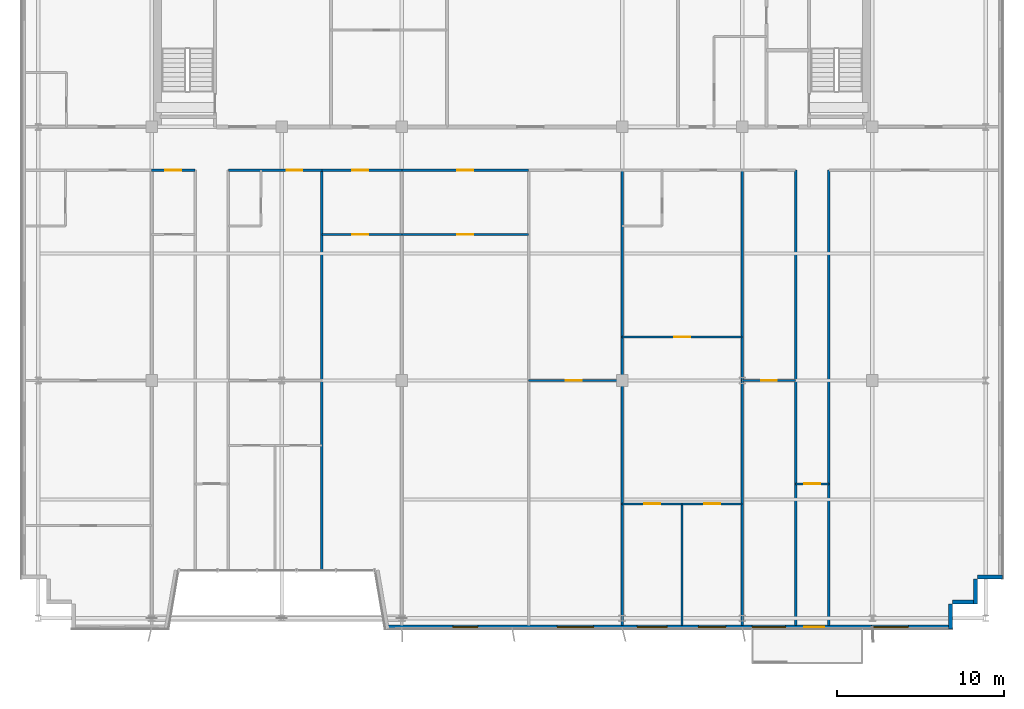
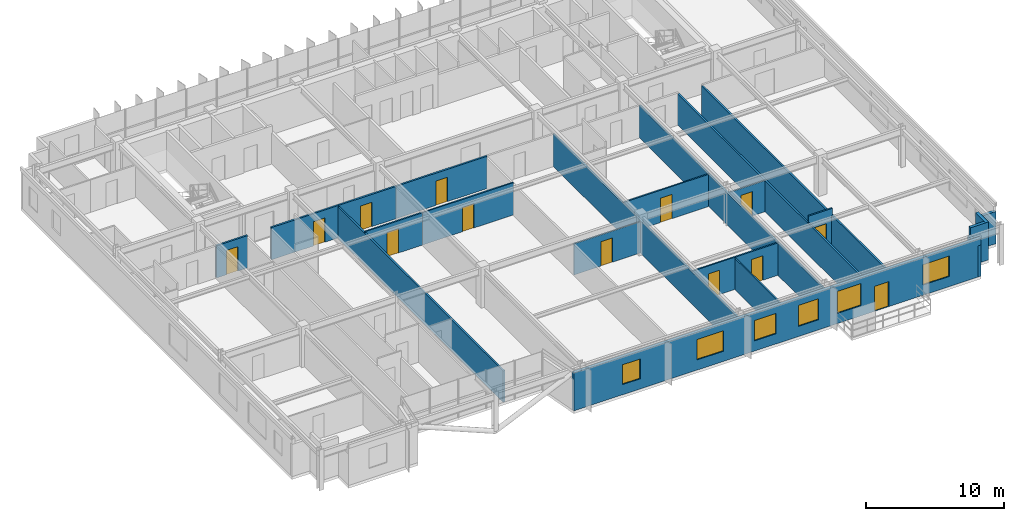
# One storey, part 19 of 24: 23 walls, 13 doors, 6 windows, 19 openings.
"""IFC4 building model written with IfcOpenShell, lengths in metres."""

from ifc_helpers import new_model, si_unit, direction, frame, frame_2d, origin, place, context, subcontext, project, spatial, rectangle, extrude, source, transform, mapped, material, layer, layer_set, type_object, element, fill, save


model = new_model("IFC4")

# Units and contexts
model_context = context("Model", 3, precision=1e-05, world=origin(), true_north=direction((0.0, 1.0)))
body_context = subcontext(model_context, "Body", "Model", "MODEL_VIEW")
ifc_project = project(units=[si_unit("LENGTHUNIT", "METRE"), si_unit("AREAUNIT", "SQUARE_METRE"), si_unit("VOLUMEUNIT", "CUBIC_METRE"), si_unit("PLANEANGLEUNIT", "RADIAN"), si_unit("MASSUNIT", "GRAM", prefix="KILO")], contexts=[model_context])

# Site, building, storey
site_placement = place(None, origin())
site = spatial("IfcSite", under=ifc_project, at=site_placement, CompositionType="ELEMENT")
building_placement = place(site_placement, origin())
building = spatial("IfcBuilding", under=site, at=building_placement, Name="Trelvane Seafront Commons", CompositionType="ELEMENT")
storey_placement = place(building_placement, frame((0.0, 0.0, 175.300048828125)))
storey = spatial("IfcBuildingStorey", under=building, at=storey_placement, Name="L46", CompositionType="ELEMENT", Elevation=175.300048828125)

# Walls
ifc_material_1 = material(Name="Precast concrete C40/50", Category="concrete")
ifc_layer_1 = layer(ifc_material_1, 0.239990234375, Name="ARCH-WALL-EXT240")
ifc_layer_set_1 = layer_set([ifc_layer_1], Name="Precast concrete C40/50")
wall_type_1 = type_object("IfcWallType", Name="ARCH-WALL-EXT240", PredefinedType="SOLIDWALL", material=ifc_layer_set_1)
wall_1_placement = place(storey_placement, frame((66.60009765625, 6.419921875, 0.0), z_axis=(0.0, 0.0, 1.0), x_axis=(-1.0, 0.0, 0.0)))
element("IfcWall", 1, at=wall_1_placement, inside=storey, type_object=wall_type_1, Name="EW-L46-00924", PredefinedType="SOLIDWALL", context=body_context, shape_type="SweptSolid", body=[
    extrude(rectangle(XDim=1.5, YDim=0.239990234375, at=frame_2d((0.75, 0.0))), origin(), (0.0, 0.0, 1.0), 2.849853515625),
])
for number, where, z_axis, x_axis, name in (
    (2, (64.97998046875, 6.300048828125, 0.0), (0.0, 0.0, 1.0), (0.0, -1.0, 0.0), "EW-L46-00925"),
    (3, (65.10009765625, 4.919921875, 0.0), (0.0, 0.0, 1.0), (-1.0, 0.0, 0.0), "EW-L46-00926"),
):
    element("IfcWall", number, at=place(storey_placement, frame(where, z_axis=z_axis, x_axis=x_axis)), inside=storey, type_object=wall_type_1, Name=name, PredefinedType="SOLIDWALL", context=body_context, shape_type="SweptSolid", body=[
        extrude(rectangle(XDim=1.5, YDim=0.239990234375, at=frame_2d((0.75, 0.0))), origin(), (0.0, 0.0, 1.0), 3.349853515625),
    ])
wall_2_placement = place(storey_placement, frame((63.47998046875, 4.800048828125, 0.0), z_axis=(0.0, 0.0, 1.0), x_axis=(0.0, -1.0, 0.0)))
element("IfcWall", 4, at=wall_2_placement, inside=storey, type_object=wall_type_1, Name="EW-L46-00927", PredefinedType="SOLIDWALL", context=body_context, shape_type="SweptSolid", body=[
    extrude(rectangle(XDim=1.5, YDim=0.239990234375, at=frame_2d((0.75, 0.0))), origin(), (0.0, 0.0, 1.0), 2.75),
])

# Wall, openings, door, windows
wall_3_placement = place(storey_placement, frame((63.60009765625, 3.419921875, 0.0), z_axis=(0.0, 0.0, 1.0), x_axis=(-1.0, 0.0, 0.0)))
wall_3 = element("IfcWall", 5, at=wall_3_placement, inside=storey, type_object=wall_type_1, Name="EW-L46-00928", PredefinedType="SOLIDWALL", context=body_context, shape_type="SweptSolid", body=[
    extrude(rectangle(XDim=34.0, YDim=0.239990234375, at=frame_2d((17.0, 0.0))), origin(), (0.0, 0.0, 1.0), 3.349853515625),
])
opening_1_placement = place(wall_3_placement, frame((2.64501953125, 0.0, 0.89990234375)))
opening_1 = element("IfcOpeningElement", 6, at=opening_1_placement, cuts=wall_3, Name="Opening W02", PredefinedType="OPENING", context=body_context, shape_type="SweptSolid", body=[
    extrude(rectangle(XDim=2.199951171875, YDim=1.800048828125, at=frame_2d((1.10009765625, 0.89990234375))), frame((0.0, 0.1298828125, 0.0), z_axis=(0.0, -1.0, 0.0), x_axis=(1.0, 0.0, 0.0)), (0.0, 0.0, 1.0), 0.260009765625),
])
opening_2_placement = place(wall_3_placement, frame((7.68994140625, 0.0, 0.0)))
opening_2 = element("IfcOpeningElement", 7, at=opening_2_placement, cuts=wall_3, Name="Opening BD-L46-105", PredefinedType="OPENING", context=body_context, shape_type="SweptSolid", body=[
    extrude(rectangle(XDim=1.199951171875, YDim=2.199951171875, at=frame_2d((0.60009765625, 1.10009765625))), frame((0.0, 0.1298828125, 0.0), z_axis=(0.0, -1.0, 0.0), x_axis=(1.0, 0.0, 0.0)), (0.0, 0.0, 1.0), 0.260009765625),
])
opening_3_placement = place(wall_3_placement, frame((10.0, 0.0, 0.89990234375)))
opening_3 = element("IfcOpeningElement", 8, at=opening_3_placement, cuts=wall_3, Name="Opening W06", PredefinedType="OPENING", context=body_context, shape_type="SweptSolid", body=[
    extrude(rectangle(XDim=2.0, YDim=1.949951171875, at=frame_2d((1.0, 0.97509765625))), frame((0.0, 0.1298828125, 0.0), z_axis=(0.0, -1.0, 0.0), x_axis=(1.0, 0.0, 0.0)), (0.0, 0.0, 1.0), 0.260009765625),
])
opening_4_placement = place(wall_3_placement, frame((13.574951171875, 0.0, 0.89990234375)))
opening_4 = element("IfcOpeningElement", 9, at=opening_4_placement, cuts=wall_3, Name="Opening W07", PredefinedType="OPENING", context=body_context, shape_type="SweptSolid", body=[
    extrude(rectangle(XDim=1.64990234375, YDim=1.85009765625, at=frame_2d((0.824951171875, 0.925048828125))), frame((0.0, 0.1298828125, 0.0), z_axis=(0.0, -1.0, 0.0), x_axis=(1.0, 0.0, 0.0)), (0.0, 0.0, 1.0), 0.260009765625),
])
opening_5_placement = place(wall_3_placement, frame((17.10009765625, 0.0, 0.89990234375)))
opening_5 = element("IfcOpeningElement", 10, at=opening_5_placement, cuts=wall_3, Name="Opening W01", PredefinedType="OPENING", context=body_context, shape_type="SweptSolid", body=[
    extrude(rectangle(XDim=1.800048828125, YDim=1.800048828125, at=frame_2d((0.89990234375, 0.89990234375))), frame((0.0, 0.1298828125, 0.0), z_axis=(0.0, -1.0, 0.0), x_axis=(1.0, 0.0, 0.0)), (0.0, 0.0, 1.0), 0.260009765625),
])
opening_6_placement = place(wall_3_placement, frame((21.5, 0.0, 0.89990234375)))
opening_6 = element("IfcOpeningElement", 11, at=opening_6_placement, cuts=wall_3, Name="Opening W02", PredefinedType="OPENING", context=body_context, shape_type="SweptSolid", body=[
    extrude(rectangle(XDim=2.199951171875, YDim=1.800048828125, at=frame_2d((1.10009765625, 0.89990234375))), frame((0.0, 0.1298828125, 0.0), z_axis=(0.0, -1.0, 0.0), x_axis=(1.0, 0.0, 0.0)), (0.0, 0.0, 1.0), 0.260009765625),
])
opening_7_placement = place(wall_3_placement, frame((28.449951171875, 0.0, 0.89990234375)))
opening_7 = element("IfcOpeningElement", 12, at=opening_7_placement, cuts=wall_3, Name="Opening W03", PredefinedType="OPENING", context=body_context, shape_type="SweptSolid", body=[
    extrude(rectangle(XDim=1.5, YDim=1.75, at=frame_2d((0.75, 0.875))), frame((0.0, 0.1298828125, 0.0), z_axis=(0.0, -1.0, 0.0), x_axis=(1.0, 0.0, 0.0)), (0.0, 0.0, 1.0), 0.260009765625),
])
ifc_material_2 = material(Name="Powder-coated aluminium frame", Category="aluminium")
door_type_1 = type_object("IfcDoorType", Name="ARCH-DR-BAL1200", OperationType="NOTDEFINED", PredefinedType="DOOR", material=ifc_material_2)
shared_shape_1 = source(origin(), body_context, "Body", "SweptSolid", [
    extrude(rectangle(XDim=1.199951171875, YDim=2.199951171875, at=frame_2d((0.60009765625, 1.10009765625))), frame((0.0, 0.02490234375, 0.0), z_axis=(0.0, -1.0, 0.0), x_axis=(1.0, 0.0, 0.0)), (0.0, 0.0, 1.0), 0.050048828125),
])
door_1_placement = place(opening_2_placement, origin())
door_1 = element("IfcDoor", 13, at=door_1_placement, inside=storey, type_object=door_type_1, Name="L46 Balcony Terrace Access Door", OperationType="SINGLE_SWING_LEFT", OverallHeight=2.199951171875, OverallWidth=1.199951171875, PredefinedType="DOOR", context=body_context, shape_type="MappedRepresentation", body=[
    mapped(shared_shape_1, transform((0.0, 0.0, 0.0), x_axis=(1.0, 0.0, 0.0), y_axis=(0.0, 1.0, 0.0), z_axis=(0.0, 0.0, 1.0), scale=1.0)),
])
fill(opening_2, door_1)
ifc_material_3 = material(Name="Low-E coastal double glazing", Category="glass")
window_type_1 = type_object("IfcWindowType", Name="ARCH-WIN-W02", PartitioningType="SINGLE_PANEL", PredefinedType="WINDOW", material=ifc_material_3)
shared_shape_2 = source(origin(), body_context, "Body", "SweptSolid", [
    extrude(rectangle(XDim=2.199951171875, YDim=1.800048828125, at=frame_2d((1.10009765625, 0.89990234375))), frame((0.0, 0.030029296875, 0.0), z_axis=(0.0, -1.0, 0.0), x_axis=(1.0, 0.0, 0.0)), (0.0, 0.0, 1.0), 0.06005859375),
])
window_1_placement = place(opening_1_placement, origin())
window_1 = element("IfcWindow", 14, at=window_1_placement, inside=storey, type_object=window_type_1, Name="WIN-L46-01105", OverallHeight=1.800048828125, OverallWidth=2.199951171875, PartitioningType="SINGLE_PANEL", PredefinedType="WINDOW", context=body_context, shape_type="MappedRepresentation", body=[
    mapped(shared_shape_2, transform((0.0, 0.0, 0.0), x_axis=(1.0, 0.0, 0.0), y_axis=(0.0, 1.0, 0.0), z_axis=(0.0, 0.0, 1.0), scale=1.0)),
])
fill(opening_1, window_1)
window_2_placement = place(opening_6_placement, origin())
window_2 = element("IfcWindow", 15, at=window_2_placement, inside=storey, type_object=window_type_1, Name="WIN-L46-01109", OverallHeight=1.800048828125, OverallWidth=2.199951171875, PartitioningType="SINGLE_PANEL", PredefinedType="WINDOW", context=body_context, shape_type="MappedRepresentation", body=[
    mapped(shared_shape_2, transform((0.0, 0.0, 0.0), x_axis=(1.0, 0.0, 0.0), y_axis=(0.0, 1.0, 0.0), z_axis=(0.0, 0.0, 1.0), scale=1.0)),
])
fill(opening_6, window_2)
window_type_2 = type_object("IfcWindowType", Name="ARCH-WIN-W03", PartitioningType="SINGLE_PANEL", PredefinedType="WINDOW", material=ifc_material_3)
shared_shape_3 = source(origin(), body_context, "Body", "SweptSolid", [
    extrude(rectangle(XDim=1.5, YDim=1.75, at=frame_2d((0.75, 0.875))), frame((0.0, 0.030029296875, 0.0), z_axis=(0.0, -1.0, 0.0), x_axis=(1.0, 0.0, 0.0)), (0.0, 0.0, 1.0), 0.06005859375),
])
window_3_placement = place(opening_7_placement, origin())
window_3 = element("IfcWindow", 16, at=window_3_placement, inside=storey, type_object=window_type_2, Name="WIN-L46-01110", OverallHeight=1.75, OverallWidth=1.5, PartitioningType="SINGLE_PANEL", PredefinedType="WINDOW", context=body_context, shape_type="MappedRepresentation", body=[
    mapped(shared_shape_3, transform((0.0, 0.0, 0.0), x_axis=(1.0, 0.0, 0.0), y_axis=(0.0, 1.0, 0.0), z_axis=(0.0, 0.0, 1.0), scale=1.0)),
])
fill(opening_7, window_3)
window_type_3 = type_object("IfcWindowType", Name="ARCH-WIN-W06", PartitioningType="SINGLE_PANEL", PredefinedType="WINDOW", material=ifc_material_3)
shared_shape_4 = source(origin(), body_context, "Body", "SweptSolid", [
    extrude(rectangle(XDim=2.0, YDim=1.949951171875, at=frame_2d((1.0, 0.97509765625))), frame((0.0, 0.030029296875, 0.0), z_axis=(0.0, -1.0, 0.0), x_axis=(1.0, 0.0, 0.0)), (0.0, 0.0, 1.0), 0.06005859375),
])
window_4_placement = place(opening_3_placement, origin())
window_4 = element("IfcWindow", 17, at=window_4_placement, inside=storey, type_object=window_type_3, Name="WIN-L46-01106", OverallHeight=1.949951171875, OverallWidth=2.0, PartitioningType="SINGLE_PANEL", PredefinedType="WINDOW", context=body_context, shape_type="MappedRepresentation", body=[
    mapped(shared_shape_4, transform((0.0, 0.0, 0.0), x_axis=(1.0, 0.0, 0.0), y_axis=(0.0, 1.0, 0.0), z_axis=(0.0, 0.0, 1.0), scale=1.0)),
])
fill(opening_3, window_4)
window_type_4 = type_object("IfcWindowType", Name="ARCH-WIN-W01", PartitioningType="SINGLE_PANEL", PredefinedType="WINDOW", material=ifc_material_3)
shared_shape_5 = source(origin(), body_context, "Body", "SweptSolid", [
    extrude(rectangle(XDim=1.800048828125, YDim=1.800048828125, at=frame_2d((0.89990234375, 0.89990234375))), frame((0.0, 0.030029296875, 0.0), z_axis=(0.0, -1.0, 0.0), x_axis=(1.0, 0.0, 0.0)), (0.0, 0.0, 1.0), 0.06005859375),
])
window_5_placement = place(opening_5_placement, origin())
window_5 = element("IfcWindow", 18, at=window_5_placement, inside=storey, type_object=window_type_4, Name="WIN-L46-01108", OverallHeight=1.800048828125, OverallWidth=1.800048828125, PartitioningType="SINGLE_PANEL", PredefinedType="WINDOW", context=body_context, shape_type="MappedRepresentation", body=[
    mapped(shared_shape_5, transform((0.0, 0.0, 0.0), x_axis=(1.0, 0.0, 0.0), y_axis=(0.0, 1.0, 0.0), z_axis=(0.0, 0.0, 1.0), scale=1.0)),
])
fill(opening_5, window_5)
window_type_5 = type_object("IfcWindowType", Name="ARCH-WIN-W07", PartitioningType="SINGLE_PANEL", PredefinedType="WINDOW", material=ifc_material_3)
shared_shape_6 = source(origin(), body_context, "Body", "SweptSolid", [
    extrude(rectangle(XDim=1.64990234375, YDim=1.85009765625, at=frame_2d((0.824951171875, 0.925048828125))), frame((0.0, 0.030029296875, 0.0), z_axis=(0.0, -1.0, 0.0), x_axis=(1.0, 0.0, 0.0)), (0.0, 0.0, 1.0), 0.06005859375),
])
window_6_placement = place(opening_4_placement, origin())
window_6 = element("IfcWindow", 19, at=window_6_placement, inside=storey, type_object=window_type_5, Name="WIN-L46-01107", OverallHeight=1.85009765625, OverallWidth=1.64990234375, PartitioningType="SINGLE_PANEL", PredefinedType="WINDOW", context=body_context, shape_type="MappedRepresentation", body=[
    mapped(shared_shape_6, transform((0.0, 0.0, 0.0), x_axis=(1.0, 0.0, 0.0), y_axis=(0.0, 1.0, 0.0), z_axis=(0.0, 0.0, 1.0), scale=1.0)),
])
fill(opening_4, window_6)

# Wall, opening, door
ifc_material_4 = material(Name="Gypsum Drywall Acoustic Partition")
ifc_layer_2 = layer(ifc_material_4, 0.1201171875, Name="ARCH-WALL-PART120")
ifc_layer_set_2 = layer_set([ifc_layer_2], Name="Gypsum Drywall Acoustic Partition")
wall_type_2 = type_object("IfcWallType", Name="ARCH-WALL-PART120", PredefinedType="PARTITIONING", material=ifc_layer_set_2)
wall_4_placement = place(storey_placement, frame((25.800048828125, 26.949951171875, 0.0), z_axis=(0.0, 0.0, 1.0), x_axis=(1.0, 0.0, 0.0)))
wall_4 = element("IfcWall", 20, at=wall_4_placement, inside=storey, type_object=wall_type_2, Name="W-L46-U5-DIV-070", PredefinedType="PARTITIONING", context=body_context, shape_type="SweptSolid", body=[
    extrude(rectangle(XDim=4.800048828125, YDim=0.1201171875, at=frame_2d((2.39990234375, 0.0))), origin(), (0.0, 0.0, 1.0), 2.849853515625),
])
opening_8_placement = place(wall_4_placement, frame((1.833984375, 0.0, 0.0)))
opening_8 = element("IfcOpeningElement", 21, at=opening_8_placement, cuts=wall_4, Name="Opening D-L46-40", PredefinedType="OPENING", context=body_context, shape_type="SweptSolid", body=[
    extrude(rectangle(XDim=0.949951171875, YDim=2.14990234375, at=frame_2d((0.47509765625, 1.074951171875))), frame((0.0, 0.070068359375, 0.0), z_axis=(0.0, -1.0, 0.0), x_axis=(1.0, 0.0, 0.0)), (0.0, 0.0, 1.0), 0.14013671875),
])
ifc_material_5 = material(Name="Acoustic timber door leaf", Category="wood")
door_type_2 = type_object("IfcDoorType", Name="ARCH-DR-INT950", OperationType="NOTDEFINED", PredefinedType="DOOR", material=ifc_material_5)
shared_shape_7 = source(origin(), body_context, "Body", "SweptSolid", [
    extrude(rectangle(XDim=0.949951171875, YDim=2.14990234375, at=frame_2d((0.47509765625, 1.074951171875))), frame((0.0, 0.02490234375, 0.0), z_axis=(0.0, -1.0, 0.0), x_axis=(1.0, 0.0, 0.0)), (0.0, 0.0, 1.0), 0.050048828125),
])
door_2_placement = place(opening_8_placement, origin())
door_2 = element("IfcDoor", 22, at=door_2_placement, inside=storey, type_object=door_type_2, Name="L46 Door 40", OperationType="SINGLE_SWING_RIGHT", OverallHeight=2.14990234375, OverallWidth=0.949951171875, PredefinedType="DOOR", context=body_context, shape_type="MappedRepresentation", body=[
    mapped(shared_shape_7, transform((0.0, 0.0, 0.0), x_axis=(1.0, 0.0, 0.0), y_axis=(0.0, 1.0, 0.0), z_axis=(0.0, 0.0, 1.0), scale=1.0)),
])
fill(opening_8, door_2)

wall_5_placement = place(storey_placement, frame((30.60009765625, 26.949951171875, 0.0), z_axis=(0.0, 0.0, 1.0), x_axis=(1.0, 0.0, 0.0)))
wall_5 = element("IfcWall", 23, at=wall_5_placement, inside=storey, type_object=wall_type_2, Name="W-L46-U6-DIV-072", PredefinedType="PARTITIONING", context=body_context, shape_type="SweptSolid", body=[
    extrude(rectangle(XDim=7.599853515625, YDim=0.1201171875, at=frame_2d((3.7998046875, 0.0))), origin(), (0.0, 0.0, 1.0), 2.849853515625),
])
opening_9_placement = place(wall_5_placement, frame((3.324951171875, 0.0, 0.0)))
opening_9 = element("IfcOpeningElement", 24, at=opening_9_placement, cuts=wall_5, Name="Opening D-L46-42", PredefinedType="OPENING", context=body_context, shape_type="SweptSolid", body=[
    extrude(rectangle(XDim=0.949951171875, YDim=2.14990234375, at=frame_2d((0.47509765625, 1.074951171875))), frame((0.0, 0.070068359375, 0.0), z_axis=(0.0, -1.0, 0.0), x_axis=(1.0, 0.0, 0.0)), (0.0, 0.0, 1.0), 0.14013671875),
])
door_3_placement = place(opening_9_placement, origin())
door_3 = element("IfcDoor", 25, at=door_3_placement, inside=storey, type_object=door_type_2, Name="L46 Door 42", OperationType="SINGLE_SWING_RIGHT", OverallHeight=2.14990234375, OverallWidth=0.949951171875, PredefinedType="DOOR", context=body_context, shape_type="MappedRepresentation", body=[
    mapped(shared_shape_7, transform((0.0, 0.0, 0.0), x_axis=(1.0, 0.0, 0.0), y_axis=(0.0, 1.0, 0.0), z_axis=(0.0, 0.0, 1.0), scale=1.0)),
])
fill(opening_9, door_3)

wall_6_placement = place(storey_placement, frame((38.199951171875, 18.199951171875, 0.0), z_axis=(0.0, 0.0, 1.0), x_axis=(1.0, 0.0, 0.0)))
wall_6 = element("IfcWall", 26, at=wall_6_placement, inside=storey, type_object=wall_type_2, Name="W-L46-U7-DIV-074", PredefinedType="PARTITIONING", context=body_context, shape_type="SweptSolid", body=[
    extrude(rectangle(XDim=5.60009765625, YDim=0.1201171875, at=frame_2d((2.800048828125, 0.0))), origin(), (0.0, 0.0, 1.0), 2.75),
])
opening_10_placement = place(wall_6_placement, frame((2.23193359375, 0.0, 0.0)))
opening_10 = element("IfcOpeningElement", 27, at=opening_10_placement, cuts=wall_6, Name="Opening D-L46-44", PredefinedType="OPENING", context=body_context, shape_type="SweptSolid", body=[
    extrude(rectangle(XDim=0.949951171875, YDim=2.14990234375, at=frame_2d((0.47509765625, 1.074951171875))), frame((0.0, 0.070068359375, 0.0), z_axis=(0.0, -1.0, 0.0), x_axis=(1.0, 0.0, 0.0)), (0.0, 0.0, 1.0), 0.14013671875),
])
door_4_placement = place(opening_10_placement, origin())
door_4 = element("IfcDoor", 28, at=door_4_placement, inside=storey, type_object=door_type_2, Name="L46 Door 44", OperationType="SINGLE_SWING_RIGHT", OverallHeight=2.14990234375, OverallWidth=0.949951171875, PredefinedType="DOOR", context=body_context, shape_type="MappedRepresentation", body=[
    mapped(shared_shape_7, transform((0.0, 0.0, 0.0), x_axis=(1.0, 0.0, 0.0), y_axis=(0.0, 1.0, 0.0), z_axis=(0.0, 0.0, 1.0), scale=1.0)),
])
fill(opening_10, door_4)

wall_7_placement = place(storey_placement, frame((43.800048828125, 20.800048828125, 0.0), z_axis=(0.0, 0.0, 1.0), x_axis=(1.0, 0.0, 0.0)))
wall_7 = element("IfcWall", 29, at=wall_7_placement, inside=storey, type_object=wall_type_2, Name="W-L46-U8-KL-075", PredefinedType="PARTITIONING", context=body_context, shape_type="SweptSolid", body=[
    extrude(rectangle(XDim=7.199951171875, YDim=0.1201171875, at=frame_2d((3.60009765625, 0.0))), origin(), (0.0, 0.0, 1.0), 2.849853515625),
])
opening_11_placement = place(wall_7_placement, frame((3.125, 0.0, 0.0)))
opening_11 = element("IfcOpeningElement", 30, at=opening_11_placement, cuts=wall_7, Name="Opening D-L46-45", PredefinedType="OPENING", context=body_context, shape_type="SweptSolid", body=[
    extrude(rectangle(XDim=0.949951171875, YDim=2.14990234375, at=frame_2d((0.47509765625, 1.074951171875))), frame((0.0, 0.070068359375, 0.0), z_axis=(0.0, -1.0, 0.0), x_axis=(1.0, 0.0, 0.0)), (0.0, 0.0, 1.0), 0.14013671875),
])
door_5_placement = place(opening_11_placement, origin())
door_5 = element("IfcDoor", 31, at=door_5_placement, inside=storey, type_object=door_type_2, Name="L46 Door 45", OperationType="SINGLE_SWING_LEFT", OverallHeight=2.14990234375, OverallWidth=0.949951171875, PredefinedType="DOOR", context=body_context, shape_type="MappedRepresentation", body=[
    mapped(shared_shape_7, transform((0.0, 0.0, 0.0), x_axis=(1.0, 0.0, 0.0), y_axis=(0.0, 1.0, 0.0), z_axis=(0.0, 0.0, 1.0), scale=1.0)),
])
fill(opening_11, door_5)

wall_8_placement = place(storey_placement, frame((43.800048828125, 10.800048828125, 0.0), z_axis=(0.0, 0.0, 1.0), x_axis=(1.0, 0.0, 0.0)))
wall_8 = element("IfcWall", 32, at=wall_8_placement, inside=storey, type_object=wall_type_2, Name="W-L46-U8-YM-1-079", PredefinedType="PARTITIONING", context=body_context, shape_type="SweptSolid", body=[
    extrude(rectangle(XDim=3.599853515625, YDim=0.1201171875, at=frame_2d((1.7998046875, 0.0))), origin(), (0.0, 0.0, 1.0), 2.849853515625),
])
opening_12_placement = place(wall_8_placement, frame((1.324951171875, 0.0, 0.0)))
opening_12 = element("IfcOpeningElement", 33, at=opening_12_placement, cuts=wall_8, Name="Opening D-L46-48", PredefinedType="OPENING", context=body_context, shape_type="SweptSolid", body=[
    extrude(rectangle(XDim=0.949951171875, YDim=2.14990234375, at=frame_2d((0.47509765625, 1.074951171875))), frame((0.0, 0.070068359375, 0.0), z_axis=(0.0, -1.0, 0.0), x_axis=(1.0, 0.0, 0.0)), (0.0, 0.0, 1.0), 0.14013671875),
])
door_6_placement = place(opening_12_placement, origin())
door_6 = element("IfcDoor", 34, at=door_6_placement, inside=storey, type_object=door_type_2, Name="L46 Door 48", OperationType="SINGLE_SWING_RIGHT", OverallHeight=2.14990234375, OverallWidth=0.949951171875, PredefinedType="DOOR", context=body_context, shape_type="MappedRepresentation", body=[
    mapped(shared_shape_7, transform((0.0, 0.0, 0.0), x_axis=(1.0, 0.0, 0.0), y_axis=(0.0, 1.0, 0.0), z_axis=(0.0, 0.0, 1.0), scale=1.0)),
])
fill(opening_12, door_6)

wall_9_placement = place(storey_placement, frame((47.39990234375, 10.800048828125, 0.0), z_axis=(0.0, 0.0, 1.0), x_axis=(1.0, 0.0, 0.0)))
wall_9 = element("IfcWall", 35, at=wall_9_placement, inside=storey, type_object=wall_type_2, Name="W-L46-U8-YM-2-080", PredefinedType="PARTITIONING", context=body_context, shape_type="SweptSolid", body=[
    extrude(rectangle(XDim=3.60009765625, YDim=0.1201171875, at=frame_2d((1.800048828125, 0.0))), origin(), (0.0, 0.0, 1.0), 2.849853515625),
])
opening_13_placement = place(wall_9_placement, frame((1.324951171875, 0.0, 0.0)))
opening_13 = element("IfcOpeningElement", 36, at=opening_13_placement, cuts=wall_9, Name="Opening D-L46-49", PredefinedType="OPENING", context=body_context, shape_type="SweptSolid", body=[
    extrude(rectangle(XDim=0.949951171875, YDim=2.14990234375, at=frame_2d((0.47509765625, 1.074951171875))), frame((0.0, 0.070068359375, 0.0), z_axis=(0.0, -1.0, 0.0), x_axis=(1.0, 0.0, 0.0)), (0.0, 0.0, 1.0), 0.14013671875),
])
door_7_placement = place(opening_13_placement, origin())
door_7 = element("IfcDoor", 37, at=door_7_placement, inside=storey, type_object=door_type_2, Name="L46 Door 49", OperationType="SINGLE_SWING_LEFT", OverallHeight=2.14990234375, OverallWidth=0.949951171875, PredefinedType="DOOR", context=body_context, shape_type="MappedRepresentation", body=[
    mapped(shared_shape_7, transform((0.0, 0.0, 0.0), x_axis=(1.0, 0.0, 0.0), y_axis=(0.0, 1.0, 0.0), z_axis=(0.0, 0.0, 1.0), scale=1.0)),
])
fill(opening_13, door_7)

# Wall
wall_10_placement = place(storey_placement, frame((47.39990234375, 3.52490234375, 0.0), z_axis=(0.0, 0.0, 1.0), x_axis=(0.0, 1.0, 0.0)))
element("IfcWall", 38, at=wall_10_placement, inside=storey, type_object=wall_type_2, Name="W-L46-U8-BDV-1-081", PredefinedType="PARTITIONING", context=body_context, shape_type="SweptSolid", body=[
    extrude(rectangle(XDim=7.275146484375, YDim=0.1201171875, at=frame_2d((3.6376953125, 0.0))), origin(), (0.0, 0.0, 1.0), 2.75),
])

# Wall, opening, door
wall_11_placement = place(storey_placement, frame((51.0, 18.199951171875, 0.0), z_axis=(0.0, 0.0, 1.0), x_axis=(1.0, 0.0, 0.0)))
wall_11 = element("IfcWall", 39, at=wall_11_placement, inside=storey, type_object=wall_type_2, Name="W-L46-U9-DIV-083", PredefinedType="PARTITIONING", context=body_context, shape_type="SweptSolid", body=[
    extrude(rectangle(XDim=3.199951171875, YDim=0.1201171875, at=frame_2d((1.60009765625, 0.0))), origin(), (0.0, 0.0, 1.0), 2.75),
])
opening_14_placement = place(wall_11_placement, frame((1.125, 0.0, 0.0)))
opening_14 = element("IfcOpeningElement", 40, at=opening_14_placement, cuts=wall_11, Name="Opening D-L46-51", PredefinedType="OPENING", context=body_context, shape_type="SweptSolid", body=[
    extrude(rectangle(XDim=0.949951171875, YDim=2.14990234375, at=frame_2d((0.47509765625, 1.074951171875))), frame((0.0, 0.070068359375, 0.0), z_axis=(0.0, -1.0, 0.0), x_axis=(1.0, 0.0, 0.0)), (0.0, 0.0, 1.0), 0.14013671875),
])
door_8_placement = place(opening_14_placement, origin())
door_8 = element("IfcDoor", 41, at=door_8_placement, inside=storey, type_object=door_type_2, Name="L46 Door 51", OperationType="SINGLE_SWING_LEFT", OverallHeight=2.14990234375, OverallWidth=0.949951171875, PredefinedType="DOOR", context=body_context, shape_type="MappedRepresentation", body=[
    mapped(shared_shape_7, transform((0.0, 0.0, 0.0), x_axis=(1.0, 0.0, 0.0), y_axis=(0.0, 1.0, 0.0), z_axis=(0.0, 0.0, 1.0), scale=1.0)),
])
fill(opening_14, door_8)

wall_12_placement = place(storey_placement, frame((54.199951171875, 12.0, 0.0), z_axis=(0.0, 0.0, 1.0), x_axis=(1.0, 0.0, 0.0)))
wall_12 = element("IfcWall", 42, at=wall_12_placement, inside=storey, type_object=wall_type_2, Name="W-L46-ARM-END-10-086", PredefinedType="PARTITIONING", context=body_context, shape_type="SweptSolid", body=[
    extrude(rectangle(XDim=2.0, YDim=0.1201171875, at=frame_2d((1.0, 0.0))), origin(), (0.0, 0.0, 1.0), 3.349853515625),
])
opening_15_placement = place(wall_12_placement, frame((0.52001953125, 0.0, 0.0)))
opening_15 = element("IfcOpeningElement", 43, at=opening_15_placement, cuts=wall_12, Name="Opening D-L46-52", PredefinedType="OPENING", context=body_context, shape_type="SweptSolid", body=[
    extrude(rectangle(XDim=0.949951171875, YDim=2.14990234375, at=frame_2d((0.47509765625, 1.074951171875))), frame((0.0, 0.070068359375, 0.0), z_axis=(0.0, -1.0, 0.0), x_axis=(1.0, 0.0, 0.0)), (0.0, 0.0, 1.0), 0.14013671875),
])
door_9_placement = place(opening_15_placement, origin())
door_9 = element("IfcDoor", 44, at=door_9_placement, inside=storey, type_object=door_type_2, Name="L46 Door 52", OperationType="SINGLE_SWING_RIGHT", OverallHeight=2.14990234375, OverallWidth=0.949951171875, PredefinedType="DOOR", context=body_context, shape_type="MappedRepresentation", body=[
    mapped(shared_shape_7, transform((0.0, 0.0, 0.0), x_axis=(1.0, 0.0, 0.0), y_axis=(0.0, 1.0, 0.0), z_axis=(0.0, 0.0, 1.0), scale=1.0)),
])
fill(opening_15, door_9)

# Walls
ifc_layer_3 = layer(ifc_material_4, 0.14990234375, Name="ARCH-WALL-PART150")
ifc_layer_set_3 = layer_set([ifc_layer_3], Name="Gypsum Drywall Acoustic Partition")
wall_type_3 = type_object("IfcWallType", Name="ARCH-WALL-PART150", PredefinedType="PARTITIONING", material=ifc_layer_set_3)
wall_13_placement = place(storey_placement, frame((25.800048828125, 6.81005859375, 0.0), z_axis=(0.0, 0.0, 1.0), x_axis=(0.0, 1.0, 0.0)))
element("IfcWall", 45, at=wall_13_placement, inside=storey, type_object=wall_type_3, Name="W-L46-PW-4-047", PredefinedType="PARTITIONING", context=body_context, shape_type="SweptSolid", body=[
    extrude(rectangle(XDim=23.989990234375, YDim=0.14990234375, at=frame_2d((11.9951171875, 0.0))), origin(), (0.0, 0.0, 1.0), 2.75),
])
for number, where, z_axis, x_axis, name in (
    (46, (43.800048828125, 3.52490234375, 0.0), (0.0, 0.0, 1.0), (0.0, 1.0, 0.0), "W-L46-PW-7-050"),
    (47, (51.0, 3.52490234375, 0.0), (0.0, 0.0, 1.0), (0.0, 1.0, 0.0), "W-L46-PW-8-051"),
):
    element("IfcWall", number, at=place(storey_placement, frame(where, z_axis=z_axis, x_axis=x_axis)), inside=storey, type_object=wall_type_3, Name=name, PredefinedType="PARTITIONING", context=body_context, shape_type="SweptSolid", body=[
        extrude(rectangle(XDim=27.275146484375, YDim=0.14990234375, at=frame_2d((13.6376953125, 0.0))), origin(), (0.0, 0.0, 1.0), 2.849853515625),
    ])

# Wall, opening, door
wall_14_placement = place(storey_placement, frame((15.60009765625, 30.800048828125, 0.0), z_axis=(0.0, 0.0, 1.0), x_axis=(1.0, 0.0, 0.0)))
wall_14 = element("IfcWall", 48, at=wall_14_placement, inside=storey, type_object=wall_type_3, Name="W-L46-CS-BAY-2-057", PredefinedType="PARTITIONING", context=body_context, shape_type="SweptSolid", body=[
    extrude(rectangle(XDim=2.599853515625, YDim=0.14990234375, at=frame_2d((1.2998046875, 0.0))), origin(), (0.0, 0.0, 1.0), 2.849853515625),
])
opening_16_placement = place(wall_14_placement, frame((0.824951171875, 0.0, 0.0)))
opening_16 = element("IfcOpeningElement", 49, at=opening_16_placement, cuts=wall_14, Name="Opening FD-L46-31", PredefinedType="OPENING", context=body_context, shape_type="SweptSolid", body=[
    extrude(rectangle(XDim=0.949951171875, YDim=2.14990234375, at=frame_2d((0.47509765625, 1.074951171875))), frame((0.0, 0.0849609375, 0.0), z_axis=(0.0, -1.0, 0.0), x_axis=(1.0, 0.0, 0.0)), (0.0, 0.0, 1.0), 0.169921875),
])
door_type_3 = type_object("IfcDoorType", Name="ARCH-DR-FD60-950", OperationType="NOTDEFINED", PredefinedType="DOOR", material=ifc_material_2)
door_10_placement = place(opening_16_placement, origin())
door_10 = element("IfcDoor", 50, at=door_10_placement, inside=storey, type_object=door_type_3, Name="L46 Bay 02 Entrance Door", OperationType="SINGLE_SWING_LEFT", OverallHeight=2.14990234375, OverallWidth=0.949951171875, PredefinedType="DOOR", context=body_context, shape_type="MappedRepresentation", body=[
    mapped(shared_shape_7, transform((0.0, 0.0, 0.0), x_axis=(1.0, 0.0, 0.0), y_axis=(0.0, 1.0, 0.0), z_axis=(0.0, 0.0, 1.0), scale=1.0)),
])
fill(opening_16, door_10)

wall_15_placement = place(storey_placement, frame((20.199951171875, 30.800048828125, 0.0), z_axis=(0.0, 0.0, 1.0), x_axis=(1.0, 0.0, 0.0)))
wall_15 = element("IfcWall", 51, at=wall_15_placement, inside=storey, type_object=wall_type_3, Name="W-L46-CS-BAY-4-065", PredefinedType="PARTITIONING", context=body_context, shape_type="SweptSolid", body=[
    extrude(rectangle(XDim=5.60009765625, YDim=0.14990234375, at=frame_2d((2.800048828125, 0.0))), origin(), (0.0, 0.0, 1.0), 2.849853515625),
])
opening_17_placement = place(wall_15_placement, frame((3.491943359375, 0.0, 0.0)))
opening_17 = element("IfcOpeningElement", 52, at=opening_17_placement, cuts=wall_15, Name="Opening FD-L46-36", PredefinedType="OPENING", context=body_context, shape_type="SweptSolid", body=[
    extrude(rectangle(XDim=0.949951171875, YDim=2.14990234375, at=frame_2d((0.47509765625, 1.074951171875))), frame((0.0, 0.0849609375, 0.0), z_axis=(0.0, -1.0, 0.0), x_axis=(1.0, 0.0, 0.0)), (0.0, 0.0, 1.0), 0.169921875),
])
door_11_placement = place(opening_17_placement, origin())
door_11 = element("IfcDoor", 53, at=door_11_placement, inside=storey, type_object=door_type_3, Name="L46 Unit 04 Entrance Door", OperationType="SINGLE_SWING_RIGHT", OverallHeight=2.14990234375, OverallWidth=0.949951171875, PredefinedType="DOOR", context=body_context, shape_type="MappedRepresentation", body=[
    mapped(shared_shape_7, transform((0.0, 0.0, 0.0), x_axis=(1.0, 0.0, 0.0), y_axis=(0.0, 1.0, 0.0), z_axis=(0.0, 0.0, 1.0), scale=1.0)),
])
fill(opening_17, door_11)

wall_16_placement = place(storey_placement, frame((25.800048828125, 30.800048828125, 0.0), z_axis=(0.0, 0.0, 1.0), x_axis=(1.0, 0.0, 0.0)))
wall_16 = element("IfcWall", 54, at=wall_16_placement, inside=storey, type_object=wall_type_3, Name="W-L46-CS-BAY-5-069", PredefinedType="PARTITIONING", context=body_context, shape_type="SweptSolid", body=[
    extrude(rectangle(XDim=4.800048828125, YDim=0.14990234375, at=frame_2d((2.39990234375, 0.0))), origin(), (0.0, 0.0, 1.0), 2.849853515625),
])
opening_18_placement = place(wall_16_placement, frame((1.833984375, 0.0, 0.0)))
opening_18 = element("IfcOpeningElement", 55, at=opening_18_placement, cuts=wall_16, Name="Opening FD-L46-39", PredefinedType="OPENING", context=body_context, shape_type="SweptSolid", body=[
    extrude(rectangle(XDim=0.949951171875, YDim=2.14990234375, at=frame_2d((0.47509765625, 1.074951171875))), frame((0.0, 0.0849609375, 0.0), z_axis=(0.0, -1.0, 0.0), x_axis=(1.0, 0.0, 0.0)), (0.0, 0.0, 1.0), 0.169921875),
])
door_12_placement = place(opening_18_placement, origin())
door_12 = element("IfcDoor", 56, at=door_12_placement, inside=storey, type_object=door_type_3, Name="L46 Bay 05 Entrance Door", OperationType="SINGLE_SWING_LEFT", OverallHeight=2.14990234375, OverallWidth=0.949951171875, PredefinedType="DOOR", context=body_context, shape_type="MappedRepresentation", body=[
    mapped(shared_shape_7, transform((0.0, 0.0, 0.0), x_axis=(1.0, 0.0, 0.0), y_axis=(0.0, 1.0, 0.0), z_axis=(0.0, 0.0, 1.0), scale=1.0)),
])
fill(opening_18, door_12)

wall_17_placement = place(storey_placement, frame((30.60009765625, 30.800048828125, 0.0), z_axis=(0.0, 0.0, 1.0), x_axis=(1.0, 0.0, 0.0)))
wall_17 = element("IfcWall", 57, at=wall_17_placement, inside=storey, type_object=wall_type_3, Name="W-L46-CS-BAY-6-071", PredefinedType="PARTITIONING", context=body_context, shape_type="SweptSolid", body=[
    extrude(rectangle(XDim=7.599853515625, YDim=0.14990234375, at=frame_2d((3.7998046875, 0.0))), origin(), (0.0, 0.0, 1.0), 2.849853515625),
])
opening_19_placement = place(wall_17_placement, frame((3.324951171875, 0.0, 0.0)))
opening_19 = element("IfcOpeningElement", 58, at=opening_19_placement, cuts=wall_17, Name="Opening FD-L46-41", PredefinedType="OPENING", context=body_context, shape_type="SweptSolid", body=[
    extrude(rectangle(XDim=0.949951171875, YDim=2.14990234375, at=frame_2d((0.47509765625, 1.074951171875))), frame((0.0, 0.0849609375, 0.0), z_axis=(0.0, -1.0, 0.0), x_axis=(1.0, 0.0, 0.0)), (0.0, 0.0, 1.0), 0.169921875),
])
door_13_placement = place(opening_19_placement, origin())
door_13 = element("IfcDoor", 59, at=door_13_placement, inside=storey, type_object=door_type_3, Name="L46 Bay 06 Entrance Door", OperationType="SINGLE_SWING_LEFT", OverallHeight=2.14990234375, OverallWidth=0.949951171875, PredefinedType="DOOR", context=body_context, shape_type="MappedRepresentation", body=[
    mapped(shared_shape_7, transform((0.0, 0.0, 0.0), x_axis=(1.0, 0.0, 0.0), y_axis=(0.0, 1.0, 0.0), z_axis=(0.0, 0.0, 1.0), scale=1.0)),
])
fill(opening_19, door_13)

# Walls
for number, where, z_axis, x_axis, name in (
    (60, (54.199951171875, 3.52490234375, 0.0), (0.0, 0.0, 1.0), (0.0, 1.0, 0.0), "W-L46-ARM-W-10-084"),
    (61, (56.199951171875, 3.52490234375, 0.0), (0.0, 0.0, 1.0), (0.0, 1.0, 0.0), "W-L46-ARM-E-10-085"),
):
    element("IfcWall", number, at=place(storey_placement, frame(where, z_axis=z_axis, x_axis=x_axis)), inside=storey, type_object=wall_type_3, Name=name, PredefinedType="PARTITIONING", context=body_context, shape_type="SweptSolid", body=[
        extrude(rectangle(XDim=27.275146484375, YDim=0.14990234375, at=frame_2d((13.6376953125, 0.0))), origin(), (0.0, 0.0, 1.0), 2.75),
    ])

save(model, "model.ifc")
